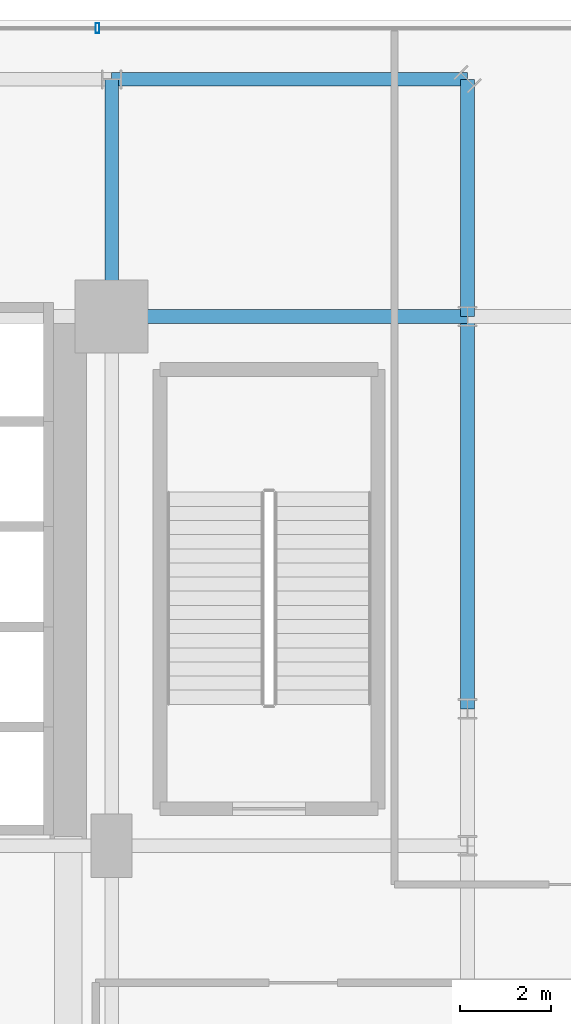
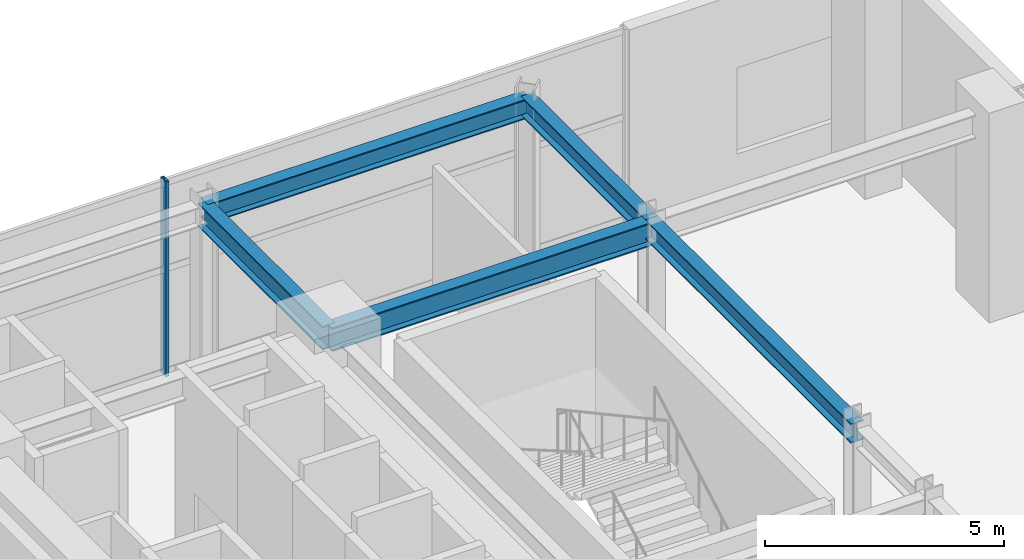
# One storey, part 21 of 35: 5 beams, 1 member, 1 element without a shape of its own.
"""IFC4 building model written with IfcOpenShell, lengths in metres."""

from ifc_helpers import new_model, si_unit, direction, frame, origin, origin_2d, place, context, subcontext, project, spatial, hollow_rectangle, i_section, extrude, source, transform, mapped, material, material_profile, profile_set, type_object, element, aggregate, save


model = new_model("IFC4")

# Units and contexts
model_context = context("Model", 3, precision=1e-05, world=origin(), true_north=direction((0.0, 1.0)))
body_context = subcontext(model_context, "Body", "Model", "MODEL_VIEW")
ifc_project = project(units=[si_unit("LENGTHUNIT", "METRE"), si_unit("AREAUNIT", "SQUARE_METRE"), si_unit("VOLUMEUNIT", "CUBIC_METRE"), si_unit("PLANEANGLEUNIT", "RADIAN"), si_unit("MASSUNIT", "GRAM", prefix="KILO")], contexts=[model_context])

# Site, building, storey
site_placement = place(None, origin())
site = spatial("IfcSite", under=ifc_project, at=site_placement, CompositionType="ELEMENT")
building_placement = place(site_placement, origin())
building = spatial("IfcBuilding", under=site, at=building_placement, Name="Nahalor Promenade Grand Hotel", CompositionType="ELEMENT")
storey_placement = place(building_placement, frame((0.0, 0.0, 21.60009765625)))
storey = spatial("IfcBuildingStorey", under=building, at=storey_placement, Name="L04", CompositionType="ELEMENT", Elevation=21.60009765625)

# Beams
ifc_material_1 = material(Name="Steel S355JR", Category="steel")
ifc_material_profile_1 = material_profile(ifc_material_1, i_section(OverallWidth=0.3, OverallDepth=0.6, WebThickness=0.0155, FlangeThickness=0.03, at=origin_2d()), Name="HEB 600")
ifc_profile_set_1 = profile_set([ifc_material_profile_1], Name="Steel S355JR")
beam_type_1 = type_object("IfcBeamType", Name="Beam-Girder-HEB600", PredefinedType="BEAM", material=ifc_profile_set_1)
shared_shape_1 = source(origin(), body_context, "Body", "SweptSolid", [
    extrude(i_section(OverallWidth=0.3, OverallDepth=0.6, WebThickness=0.0155, FlangeThickness=0.03, at=origin_2d()), origin(), (0.0, 0.0, 1.0), 7.800048828125),
])
beam_1_placement = place(storey_placement, frame((17.0, 17.0, 4.679931640625), z_axis=(1.0, 0.0, 0.0), x_axis=(0.0, 1.0, 0.0)))
element("IfcBeam", 1, at=beam_1_placement, inside=storey, type_object=beam_type_1, Name="BM-L04-GX-3-7", PredefinedType="BEAM", context=body_context, shape_type="MappedRepresentation", body=[
    mapped(shared_shape_1, transform((0.0, 0.0, 0.0), scale=1.0)),
])
shared_shape_2 = source(origin(), body_context, "Body", "SweptSolid", [
    extrude(i_section(OverallWidth=0.3, OverallDepth=0.6, WebThickness=0.0155, FlangeThickness=0.03, at=origin_2d()), origin(), (0.0, 0.0, 1.0), 5.199951171875),
])
beam_2_placement = place(storey_placement, frame((17.0, 17.0, 4.679931640625), z_axis=(0.0, 1.0, 0.0), x_axis=(-1.0, 0.0, 0.0)))
element("IfcBeam", 2, at=beam_2_placement, inside=storey, type_object=beam_type_1, Name="BM-L04-GY-5-4", PredefinedType="BEAM", context=body_context, shape_type="MappedRepresentation", body=[
    mapped(shared_shape_2, transform((0.0, 0.0, 0.0), scale=1.0)),
])
ifc_material_profile_2 = material_profile(ifc_material_1, i_section(OverallWidth=0.3, OverallDepth=0.5, WebThickness=0.0145, FlangeThickness=0.028, at=origin_2d()), Name="HEB 500")
ifc_profile_set_2 = profile_set([ifc_material_profile_2], Name="Steel S355JR")
beam_type_2 = type_object("IfcBeamType", Name="Beam-Spandrel-HEB500", PredefinedType="SPANDREL", material=ifc_profile_set_2)
shared_shape_3 = source(origin(), body_context, "Body", "SweptSolid", [
    extrude(i_section(OverallWidth=0.3, OverallDepth=0.5, WebThickness=0.0145, FlangeThickness=0.028, at=origin_2d()), origin(), (0.0, 0.0, 1.0), 8.60009765625),
])
beam_3_placement = place(storey_placement, frame((24.800048828125, 8.39990234375, 4.72998046875), z_axis=(0.0, 1.0, 0.0), x_axis=(-1.0, 0.0, 0.0)))
element("IfcBeam", 3, at=beam_3_placement, inside=storey, type_object=beam_type_2, Name="BM-L04-SP-E-4", PredefinedType="SPANDREL", context=body_context, shape_type="MappedRepresentation", body=[
    mapped(shared_shape_3, transform((0.0, 0.0, 0.0), scale=1.0)),
])
shared_shape_4 = source(origin(), body_context, "Body", "SweptSolid", [
    extrude(i_section(OverallWidth=0.3, OverallDepth=0.5, WebThickness=0.0145, FlangeThickness=0.028, at=origin_2d()), origin(), (0.0, 0.0, 1.0), 7.800048828125),
])
beam_4_placement = place(storey_placement, frame((17.0, 22.199951171875, 4.72998046875), z_axis=(1.0, 0.0, 0.0), x_axis=(0.0, 1.0, 0.0)))
element("IfcBeam", 4, at=beam_4_placement, inside=storey, type_object=beam_type_2, Name="BM-L04-SPC-NE-1", PredefinedType="SPANDREL", context=body_context, shape_type="MappedRepresentation", body=[
    mapped(shared_shape_4, transform((0.0, 0.0, 0.0), scale=1.0)),
])
shared_shape_5 = source(origin(), body_context, "Body", "SweptSolid", [
    extrude(i_section(OverallWidth=0.3, OverallDepth=0.5, WebThickness=0.0145, FlangeThickness=0.028, at=origin_2d()), origin(), (0.0, 0.0, 1.0), 5.199951171875),
])
beam_5_placement = place(storey_placement, frame((24.800048828125, 22.199951171875, 4.72998046875), z_axis=(0.0, -1.0, 0.0), x_axis=(1.0, 0.0, 0.0)))
element("IfcBeam", 5, at=beam_5_placement, inside=storey, type_object=beam_type_2, Name="BM-L04-SPC-NE-2", PredefinedType="SPANDREL", context=body_context, shape_type="MappedRepresentation", body=[
    mapped(shared_shape_5, transform((0.0, 0.0, 0.0), scale=1.0)),
])

# Curtain wall, member
ifc_material_2 = material(Name="Anodised Bronze Aluminium EN AW-6063 T6", Category="aluminium")
curtain_wall_type = type_object("IfcCurtainWallType", Name="CW1 Waterfront Podium Bronze Arcade Curtain Wall", PredefinedType="USERDEFINED", material=ifc_material_2)
curtain_wall_placement = place(storey_placement, origin())
curtain_wall = element("IfcCurtainWall", 6, at=curtain_wall_placement, inside=storey, type_object=curtain_wall_type, Name="L04 Curtain Wall CW-L04-N", ObjectType="UNITISED_CURTAIN_WALL", PredefinedType="USERDEFINED")
ifc_material_profile_3 = material_profile(ifc_material_2, hollow_rectangle(XDim=0.08, YDim=0.22, WallThickness=0.005, at=origin_2d()), Name="CWM 80x220x5")
ifc_profile_set_3 = profile_set([ifc_material_profile_3], Name="Anodised Bronze Aluminium EN AW-6063 T6")
member_type = type_object("IfcMemberType", Name="CWM1 Podium Bronze Mullion 80x220", PredefinedType="MULLION", material=ifc_profile_set_3)
shared_shape_6 = source(origin(), body_context, "Body", "SweptSolid", [
    extrude(hollow_rectangle(XDim=0.08, YDim=0.22, WallThickness=0.005, at=origin_2d()), origin(), (0.0, 0.0, 1.0), 4.97998046875),
])
member_placement = place(storey_placement, frame((16.69189453125, 23.320068359375, 0.0), z_axis=(0.0, 0.0, 1.0), x_axis=(1.0, 0.0, 0.0)))
member = element("IfcMember", 7, at=member_placement, type_object=member_type, Name="CW-L04-N Mullion 4", PredefinedType="MULLION", context=body_context, shape_type="MappedRepresentation", body=[
    mapped(shared_shape_6, transform((0.0, 0.0, 0.0), scale=1.0)),
])
aggregate(curtain_wall, [member])

save(model, "model.ifc")
